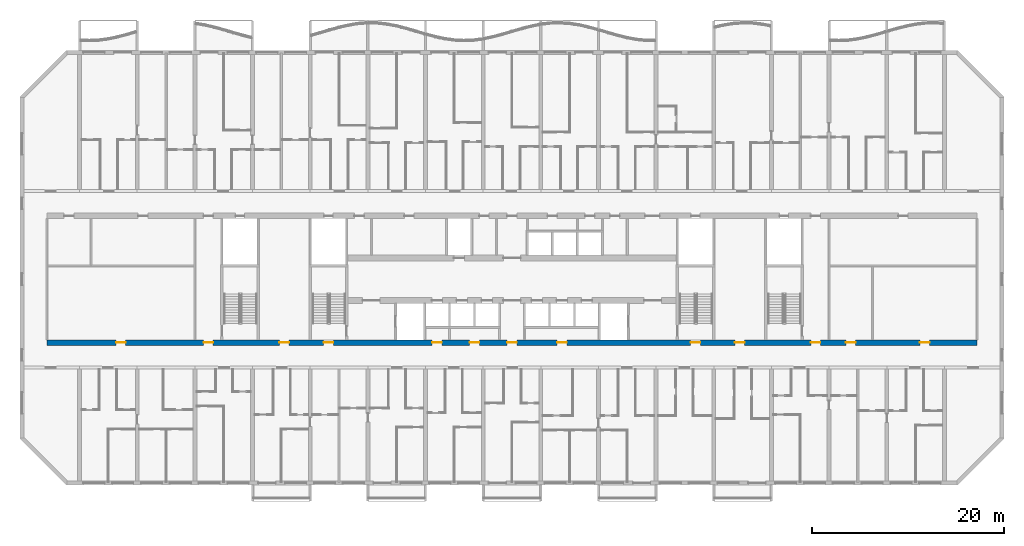
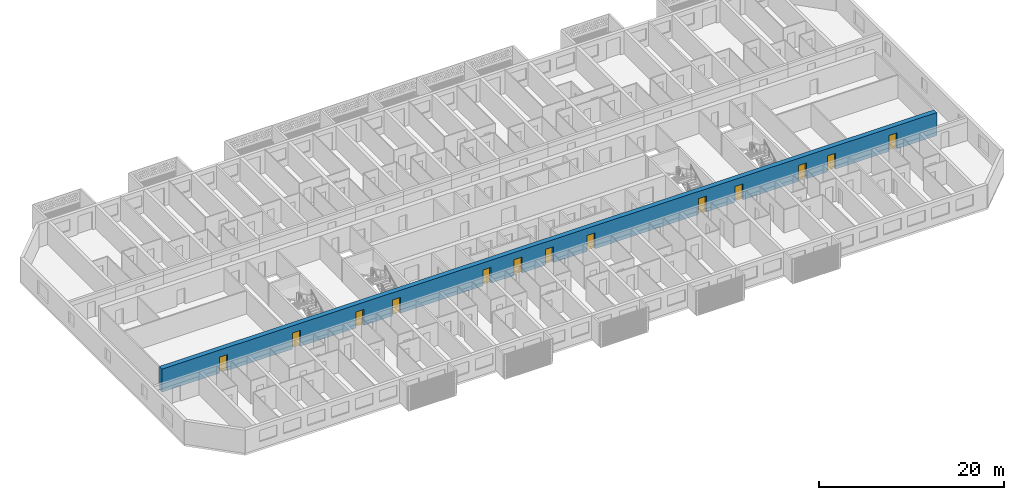
# One storey, part 9 of 44: 13 doors, 1 wall, 13 openings.
"""IFC4 building model written with IfcOpenShell, lengths in metres."""

from ifc_helpers import new_model, si_unit, direction, frame, frame_2d, origin, place, context, subcontext, project, spatial, rectangle, extrude, material, layer, layer_set, type_object, element, fill, save


model = new_model("IFC4")

# Units and contexts
model_context = context("Model", 3, precision=1e-05, world=origin(), true_north=direction((0.0, 1.0)))
body_context = subcontext(model_context, "Body", "Model", "MODEL_VIEW")
ifc_project = project(units=[si_unit("LENGTHUNIT", "METRE"), si_unit("AREAUNIT", "SQUARE_METRE"), si_unit("VOLUMEUNIT", "CUBIC_METRE"), si_unit("PLANEANGLEUNIT", "RADIAN"), si_unit("MASSUNIT", "GRAM", prefix="KILO")], contexts=[model_context])

# Site, building, storey
site_placement = place(None, origin())
site = spatial("IfcSite", under=ifc_project, at=site_placement, CompositionType="ELEMENT")
building_placement = place(site_placement, origin())
building = spatial("IfcBuilding", under=site, at=building_placement, Name="Poui Terraces", CompositionType="ELEMENT")
storey_placement = place(building_placement, frame((0.0, 0.0, 30.0)))
storey = spatial("IfcBuildingStorey", under=building, at=storey_placement, Name="L07", CompositionType="ELEMENT", Elevation=30.0)

# Wall, openings, doors
ifc_material_1 = material(Name="Concrete 80 MPa", Category="concrete")
ifc_layer = layer(ifc_material_1, 0.60009765625)
ifc_layer_set = layer_set([ifc_layer], Name="Concrete 80 MPa")
wall_type = type_object("IfcWallType", Name="SPINE WALL 600 80 MPA", PredefinedType="SOLIDWALL", material=ifc_layer_set)
wall_placement = place(storey_placement, frame((2.60009765625, 14.60009765625, 0.0), z_axis=(0.0, 0.0, 1.0), x_axis=(1.0, 0.0, 0.0)))
wall = element("IfcWall", 1, at=wall_placement, inside=storey, type_object=wall_type, Name="SPINE WALL", PredefinedType="SOLIDWALL", context=body_context, shape_type="SweptSolid", body=[
    extrude(rectangle(XDim=96.7998046875, YDim=0.60009765625, at=frame_2d((48.39990234375, 0.0))), origin(), (0.0, 0.0, 1.0), 3.050048828125),
])
opening_1_placement = place(wall_placement, frame((7.199951171875, 0.0, 0.0)))
opening_1 = element("IfcOpeningElement", 2, at=opening_1_placement, cuts=wall, Name="Opening FD60", PredefinedType="OPENING", context=body_context, shape_type="SweptSolid", body=[
    extrude(rectangle(XDim=1.0, YDim=2.10009765625, at=frame_2d((0.5, 1.050048828125))), frame((0.0, 0.31005859375, 0.0), z_axis=(0.0, -1.0, 0.0), x_axis=(1.0, 0.0, 0.0)), (0.0, 0.0, 1.0), 0.6201171875),
])
opening_2_placement = place(wall_placement, frame((16.300048828125, 0.0, 0.0)))
opening_2 = element("IfcOpeningElement", 3, at=opening_2_placement, cuts=wall, Name="Opening FDL", PredefinedType="OPENING", context=body_context, shape_type="SweptSolid", body=[
    extrude(rectangle(XDim=1.0, YDim=2.10009765625, at=frame_2d((0.5, 1.050048828125))), frame((0.0, 0.31005859375, 0.0), z_axis=(0.0, -1.0, 0.0), x_axis=(1.0, 0.0, 0.0)), (0.0, 0.0, 1.0), 0.6201171875),
])
opening_3_placement = place(wall_placement, frame((24.199951171875, 0.0, 0.0)))
opening_3 = element("IfcOpeningElement", 4, at=opening_3_placement, cuts=wall, Name="Opening D100", PredefinedType="OPENING", context=body_context, shape_type="SweptSolid", body=[
    extrude(rectangle(XDim=1.0, YDim=2.10009765625, at=frame_2d((0.5, 1.050048828125))), frame((0.0, 0.31005859375, 0.0), z_axis=(0.0, -1.0, 0.0), x_axis=(1.0, 0.0, 0.0)), (0.0, 0.0, 1.0), 0.6201171875),
])
opening_4_placement = place(wall_placement, frame((28.800048828125, 0.0, 0.0)))
opening_4 = element("IfcOpeningElement", 5, at=opening_4_placement, cuts=wall, Name="Opening FD60S", PredefinedType="OPENING", context=body_context, shape_type="SweptSolid", body=[
    extrude(rectangle(XDim=1.0, YDim=2.10009765625, at=frame_2d((0.5, 1.050048828125))), frame((0.0, 0.31005859375, 0.0), z_axis=(0.0, -1.0, 0.0), x_axis=(1.0, 0.0, 0.0)), (0.0, 0.0, 1.0), 0.6201171875),
])
opening_5_placement = place(wall_placement, frame((40.10009765625, 0.0, 0.0)))
opening_5 = element("IfcOpeningElement", 6, at=opening_5_placement, cuts=wall, Name="Opening FD60", PredefinedType="OPENING", context=body_context, shape_type="SweptSolid", body=[
    extrude(rectangle(XDim=1.0, YDim=2.10009765625, at=frame_2d((0.5, 1.050048828125))), frame((0.0, 0.31005859375, 0.0), z_axis=(0.0, -1.0, 0.0), x_axis=(1.0, 0.0, 0.0)), (0.0, 0.0, 1.0), 0.6201171875),
])
opening_6_placement = place(wall_placement, frame((44.0, 0.0, 0.0)))
opening_6 = element("IfcOpeningElement", 7, at=opening_6_placement, cuts=wall, Name="Opening FD60", PredefinedType="OPENING", context=body_context, shape_type="SweptSolid", body=[
    extrude(rectangle(XDim=1.0, YDim=2.10009765625, at=frame_2d((0.5, 1.050048828125))), frame((0.0, 0.31005859375, 0.0), z_axis=(0.0, -1.0, 0.0), x_axis=(1.0, 0.0, 0.0)), (0.0, 0.0, 1.0), 0.6201171875),
])
opening_7_placement = place(wall_placement, frame((47.89990234375, 0.0, 0.0)))
opening_7 = element("IfcOpeningElement", 8, at=opening_7_placement, cuts=wall, Name="Opening FDL", PredefinedType="OPENING", context=body_context, shape_type="SweptSolid", body=[
    extrude(rectangle(XDim=1.0, YDim=2.10009765625, at=frame_2d((0.5, 1.050048828125))), frame((0.0, 0.31005859375, 0.0), z_axis=(0.0, -1.0, 0.0), x_axis=(1.0, 0.0, 0.0)), (0.0, 0.0, 1.0), 0.6201171875),
])
opening_8_placement = place(wall_placement, frame((53.10009765625, 0.0, 0.0)))
opening_8 = element("IfcOpeningElement", 9, at=opening_8_placement, cuts=wall, Name="Opening FD60", PredefinedType="OPENING", context=body_context, shape_type="SweptSolid", body=[
    extrude(rectangle(XDim=1.0, YDim=2.10009765625, at=frame_2d((0.5, 1.050048828125))), frame((0.0, 0.31005859375, 0.0), z_axis=(0.0, -1.0, 0.0), x_axis=(1.0, 0.0, 0.0)), (0.0, 0.0, 1.0), 0.6201171875),
])
opening_9_placement = place(wall_placement, frame((67.0, 0.0, 0.0)))
opening_9 = element("IfcOpeningElement", 10, at=opening_9_placement, cuts=wall, Name="Opening FD60S", PredefinedType="OPENING", context=body_context, shape_type="SweptSolid", body=[
    extrude(rectangle(XDim=1.0, YDim=2.10009765625, at=frame_2d((0.5, 1.050048828125))), frame((0.0, 0.31005859375, 0.0), z_axis=(0.0, -1.0, 0.0), x_axis=(1.0, 0.0, 0.0)), (0.0, 0.0, 1.0), 0.6201171875),
])
opening_10_placement = place(wall_placement, frame((71.60009765625, 0.0, 0.0)))
opening_10 = element("IfcOpeningElement", 11, at=opening_10_placement, cuts=wall, Name="Opening D100", PredefinedType="OPENING", context=body_context, shape_type="SweptSolid", body=[
    extrude(rectangle(XDim=1.0, YDim=2.10009765625, at=frame_2d((0.5, 1.050048828125))), frame((0.0, 0.31005859375, 0.0), z_axis=(0.0, -1.0, 0.0), x_axis=(1.0, 0.0, 0.0)), (0.0, 0.0, 1.0), 0.6201171875),
])
opening_11_placement = place(wall_placement, frame((79.5, 0.0, 0.0)))
opening_11 = element("IfcOpeningElement", 12, at=opening_11_placement, cuts=wall, Name="Opening FDL", PredefinedType="OPENING", context=body_context, shape_type="SweptSolid", body=[
    extrude(rectangle(XDim=1.0, YDim=2.10009765625, at=frame_2d((0.5, 1.050048828125))), frame((0.0, 0.31005859375, 0.0), z_axis=(0.0, -1.0, 0.0), x_axis=(1.0, 0.0, 0.0)), (0.0, 0.0, 1.0), 0.6201171875),
])
opening_12_placement = place(wall_placement, frame((83.14990234375, 0.0, 0.0)))
opening_12 = element("IfcOpeningElement", 13, at=opening_12_placement, cuts=wall, Name="Opening FD60", PredefinedType="OPENING", context=body_context, shape_type="SweptSolid", body=[
    extrude(rectangle(XDim=1.0, YDim=2.10009765625, at=frame_2d((0.5, 1.050048828125))), frame((0.0, 0.31005859375, 0.0), z_axis=(0.0, -1.0, 0.0), x_axis=(1.0, 0.0, 0.0)), (0.0, 0.0, 1.0), 0.6201171875),
])
opening_13_placement = place(wall_placement, frame((90.85009765625, 0.0, 0.0)))
opening_13 = element("IfcOpeningElement", 14, at=opening_13_placement, cuts=wall, Name="Opening FD60", PredefinedType="OPENING", context=body_context, shape_type="SweptSolid", body=[
    extrude(rectangle(XDim=1.0, YDim=2.10009765625, at=frame_2d((0.5, 1.050048828125))), frame((0.0, 0.31005859375, 0.0), z_axis=(0.0, -1.0, 0.0), x_axis=(1.0, 0.0, 0.0)), (0.0, 0.0, 1.0), 0.6201171875),
])
ifc_material_2 = material(Name="Solid core timber door", Category="wood")
door_type_1 = type_object("IfcDoorType", Name="ACCESSIBLE INTERNAL DOOR 1000 X 2100", OperationType="NOTDEFINED", PredefinedType="DOOR", material=ifc_material_2)
door_1_placement = place(opening_3_placement, frame((1.0, 0.0, 0.0), z_axis=(0.0, 0.0, 1.0), x_axis=(-1.0, 0.0, 0.0)))
door_1 = element("IfcDoor", 15, at=door_1_placement, inside=storey, type_object=door_type_1, Name="ACCESSIBLE INTERNAL DOOR 020", OperationType="SINGLE_SWING_LEFT", OverallHeight=2.10009765625, OverallWidth=1.0, PredefinedType="DOOR", context=body_context, shape_type="SweptSolid", body=[
    extrude(rectangle(XDim=1.0, YDim=2.10009765625, at=frame_2d((0.5, 1.050048828125))), frame((0.0, 0.02490234375, 0.0), z_axis=(0.0, -1.0, 0.0), x_axis=(1.0, 0.0, 0.0)), (0.0, 0.0, 1.0), 0.050048828125),
])
fill(opening_3, door_1)
door_2_placement = place(opening_10_placement, frame((1.0, 0.0, 0.0), z_axis=(0.0, 0.0, 1.0), x_axis=(-1.0, 0.0, 0.0)))
door_2 = element("IfcDoor", 16, at=door_2_placement, inside=storey, type_object=door_type_1, Name="ACCESSIBLE INTERNAL DOOR 027", OperationType="SINGLE_SWING_RIGHT", OverallHeight=2.10009765625, OverallWidth=1.0, PredefinedType="DOOR", context=body_context, shape_type="SweptSolid", body=[
    extrude(rectangle(XDim=1.0, YDim=2.10009765625, at=frame_2d((0.5, 1.050048828125))), frame((0.0, 0.02490234375, 0.0), z_axis=(0.0, -1.0, 0.0), x_axis=(1.0, 0.0, 0.0)), (0.0, 0.0, 1.0), 0.050048828125),
])
fill(opening_10, door_2)
ifc_material_3 = material(Name="Steel fire door", Category="steel")
door_type_2 = type_object("IfcDoorType", Name="LOBBY FIRE DOOR 1000 X 2100", OperationType="NOTDEFINED", PredefinedType="DOOR", material=ifc_material_3)
door_3_placement = place(opening_2_placement, frame((1.0, 0.0, 0.0), z_axis=(0.0, 0.0, 1.0), x_axis=(-1.0, 0.0, 0.0)))
door_3 = element("IfcDoor", 17, at=door_3_placement, inside=storey, type_object=door_type_2, Name="LOBBY FIRE DOOR 019", OperationType="SINGLE_SWING_RIGHT", OverallHeight=2.10009765625, OverallWidth=1.0, PredefinedType="DOOR", context=body_context, shape_type="SweptSolid", body=[
    extrude(rectangle(XDim=1.0, YDim=2.10009765625, at=frame_2d((0.5, 1.050048828125))), frame((0.0, 0.02490234375, 0.0), z_axis=(0.0, -1.0, 0.0), x_axis=(1.0, 0.0, 0.0)), (0.0, 0.0, 1.0), 0.050048828125),
])
fill(opening_2, door_3)
door_4_placement = place(opening_7_placement, frame((1.0, 0.0, 0.0), z_axis=(0.0, 0.0, 1.0), x_axis=(-1.0, 0.0, 0.0)))
door_4 = element("IfcDoor", 18, at=door_4_placement, inside=storey, type_object=door_type_2, Name="LOBBY FIRE DOOR 024", OperationType="SINGLE_SWING_LEFT", OverallHeight=2.10009765625, OverallWidth=1.0, PredefinedType="DOOR", context=body_context, shape_type="SweptSolid", body=[
    extrude(rectangle(XDim=1.0, YDim=2.10009765625, at=frame_2d((0.5, 1.050048828125))), frame((0.0, 0.02490234375, 0.0), z_axis=(0.0, -1.0, 0.0), x_axis=(1.0, 0.0, 0.0)), (0.0, 0.0, 1.0), 0.050048828125),
])
fill(opening_7, door_4)
door_5_placement = place(opening_11_placement, frame((1.0, 0.0, 0.0), z_axis=(0.0, 0.0, 1.0), x_axis=(-1.0, 0.0, 0.0)))
door_5 = element("IfcDoor", 19, at=door_5_placement, inside=storey, type_object=door_type_2, Name="LOBBY FIRE DOOR 028", OperationType="SINGLE_SWING_LEFT", OverallHeight=2.10009765625, OverallWidth=1.0, PredefinedType="DOOR", context=body_context, shape_type="SweptSolid", body=[
    extrude(rectangle(XDim=1.0, YDim=2.10009765625, at=frame_2d((0.5, 1.050048828125))), frame((0.0, 0.02490234375, 0.0), z_axis=(0.0, -1.0, 0.0), x_axis=(1.0, 0.0, 0.0)), (0.0, 0.0, 1.0), 0.050048828125),
])
fill(opening_11, door_5)
door_type_3 = type_object("IfcDoorType", Name="SERVICE ROOM FIRE DOOR 1000 X 2100", OperationType="NOTDEFINED", PredefinedType="DOOR", material=ifc_material_3)
door_6_placement = place(opening_1_placement, frame((1.0, 0.0, 0.0), z_axis=(0.0, 0.0, 1.0), x_axis=(-1.0, 0.0, 0.0)))
door_6 = element("IfcDoor", 20, at=door_6_placement, inside=storey, type_object=door_type_3, Name="SERVICE ROOM FIRE DOOR 018", OperationType="SINGLE_SWING_LEFT", OverallHeight=2.10009765625, OverallWidth=1.0, PredefinedType="DOOR", context=body_context, shape_type="SweptSolid", body=[
    extrude(rectangle(XDim=1.0, YDim=2.10009765625, at=frame_2d((0.5, 1.050048828125))), frame((0.0, 0.02490234375, 0.0), z_axis=(0.0, -1.0, 0.0), x_axis=(1.0, 0.0, 0.0)), (0.0, 0.0, 1.0), 0.050048828125),
])
fill(opening_1, door_6)
door_7_placement = place(opening_5_placement, frame((1.0, 0.0, 0.0), z_axis=(0.0, 0.0, 1.0), x_axis=(-1.0, 0.0, 0.0)))
door_7 = element("IfcDoor", 21, at=door_7_placement, inside=storey, type_object=door_type_3, Name="SERVICE ROOM FIRE DOOR 022", OperationType="SINGLE_SWING_LEFT", OverallHeight=2.10009765625, OverallWidth=1.0, PredefinedType="DOOR", context=body_context, shape_type="SweptSolid", body=[
    extrude(rectangle(XDim=1.0, YDim=2.10009765625, at=frame_2d((0.5, 1.050048828125))), frame((0.0, 0.02490234375, 0.0), z_axis=(0.0, -1.0, 0.0), x_axis=(1.0, 0.0, 0.0)), (0.0, 0.0, 1.0), 0.050048828125),
])
fill(opening_5, door_7)
door_8_placement = place(opening_6_placement, frame((1.0, 0.0, 0.0), z_axis=(0.0, 0.0, 1.0), x_axis=(-1.0, 0.0, 0.0)))
door_8 = element("IfcDoor", 22, at=door_8_placement, inside=storey, type_object=door_type_3, Name="SERVICE ROOM FIRE DOOR 023", OperationType="SINGLE_SWING_RIGHT", OverallHeight=2.10009765625, OverallWidth=1.0, PredefinedType="DOOR", context=body_context, shape_type="SweptSolid", body=[
    extrude(rectangle(XDim=1.0, YDim=2.10009765625, at=frame_2d((0.5, 1.050048828125))), frame((0.0, 0.02490234375, 0.0), z_axis=(0.0, -1.0, 0.0), x_axis=(1.0, 0.0, 0.0)), (0.0, 0.0, 1.0), 0.050048828125),
])
fill(opening_6, door_8)
door_9_placement = place(opening_8_placement, frame((1.0, 0.0, 0.0), z_axis=(0.0, 0.0, 1.0), x_axis=(-1.0, 0.0, 0.0)))
door_9 = element("IfcDoor", 23, at=door_9_placement, inside=storey, type_object=door_type_3, Name="SERVICE ROOM FIRE DOOR 025", OperationType="SINGLE_SWING_LEFT", OverallHeight=2.10009765625, OverallWidth=1.0, PredefinedType="DOOR", context=body_context, shape_type="SweptSolid", body=[
    extrude(rectangle(XDim=1.0, YDim=2.10009765625, at=frame_2d((0.5, 1.050048828125))), frame((0.0, 0.02490234375, 0.0), z_axis=(0.0, -1.0, 0.0), x_axis=(1.0, 0.0, 0.0)), (0.0, 0.0, 1.0), 0.050048828125),
])
fill(opening_8, door_9)
door_10_placement = place(opening_12_placement, frame((1.0, 0.0, 0.0), z_axis=(0.0, 0.0, 1.0), x_axis=(-1.0, 0.0, 0.0)))
door_10 = element("IfcDoor", 24, at=door_10_placement, inside=storey, type_object=door_type_3, Name="SERVICE ROOM FIRE DOOR 029", OperationType="SINGLE_SWING_RIGHT", OverallHeight=2.10009765625, OverallWidth=1.0, PredefinedType="DOOR", context=body_context, shape_type="SweptSolid", body=[
    extrude(rectangle(XDim=1.0, YDim=2.10009765625, at=frame_2d((0.5, 1.050048828125))), frame((0.0, 0.02490234375, 0.0), z_axis=(0.0, -1.0, 0.0), x_axis=(1.0, 0.0, 0.0)), (0.0, 0.0, 1.0), 0.050048828125),
])
fill(opening_12, door_10)
door_11_placement = place(opening_13_placement, frame((1.0, 0.0, 0.0), z_axis=(0.0, 0.0, 1.0), x_axis=(-1.0, 0.0, 0.0)))
door_11 = element("IfcDoor", 25, at=door_11_placement, inside=storey, type_object=door_type_3, Name="SERVICE ROOM FIRE DOOR 030", OperationType="SINGLE_SWING_LEFT", OverallHeight=2.10009765625, OverallWidth=1.0, PredefinedType="DOOR", context=body_context, shape_type="SweptSolid", body=[
    extrude(rectangle(XDim=1.0, YDim=2.10009765625, at=frame_2d((0.5, 1.050048828125))), frame((0.0, 0.02490234375, 0.0), z_axis=(0.0, -1.0, 0.0), x_axis=(1.0, 0.0, 0.0)), (0.0, 0.0, 1.0), 0.050048828125),
])
fill(opening_13, door_11)
door_type_4 = type_object("IfcDoorType", Name="STAIR DOOR 1000 X 2100", OperationType="NOTDEFINED", PredefinedType="DOOR", material=ifc_material_3)
door_12_placement = place(opening_4_placement, origin())
door_12 = element("IfcDoor", 26, at=door_12_placement, inside=storey, type_object=door_type_4, Name="STAIR DOOR 021", OperationType="SINGLE_SWING_RIGHT", OverallHeight=2.10009765625, OverallWidth=1.0, PredefinedType="DOOR", context=body_context, shape_type="SweptSolid", body=[
    extrude(rectangle(XDim=1.0, YDim=2.10009765625, at=frame_2d((0.5, 1.050048828125))), frame((0.0, 0.02490234375, 0.0), z_axis=(0.0, -1.0, 0.0), x_axis=(1.0, 0.0, 0.0)), (0.0, 0.0, 1.0), 0.050048828125),
])
fill(opening_4, door_12)
door_13_placement = place(opening_9_placement, origin())
door_13 = element("IfcDoor", 27, at=door_13_placement, inside=storey, type_object=door_type_4, Name="STAIR DOOR 026", OperationType="SINGLE_SWING_RIGHT", OverallHeight=2.10009765625, OverallWidth=1.0, PredefinedType="DOOR", context=body_context, shape_type="SweptSolid", body=[
    extrude(rectangle(XDim=1.0, YDim=2.10009765625, at=frame_2d((0.5, 1.050048828125))), frame((0.0, 0.02490234375, 0.0), z_axis=(0.0, -1.0, 0.0), x_axis=(1.0, 0.0, 0.0)), (0.0, 0.0, 1.0), 0.050048828125),
])
fill(opening_9, door_13)

save(model, "model.ifc")
